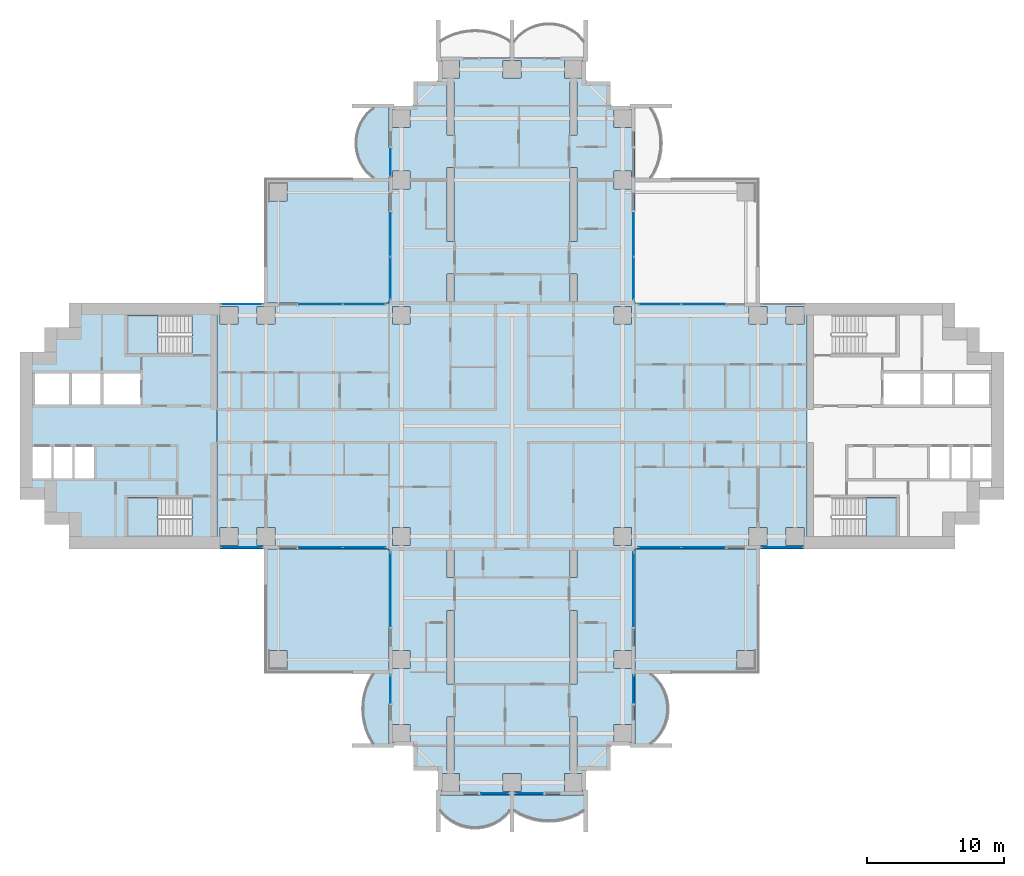
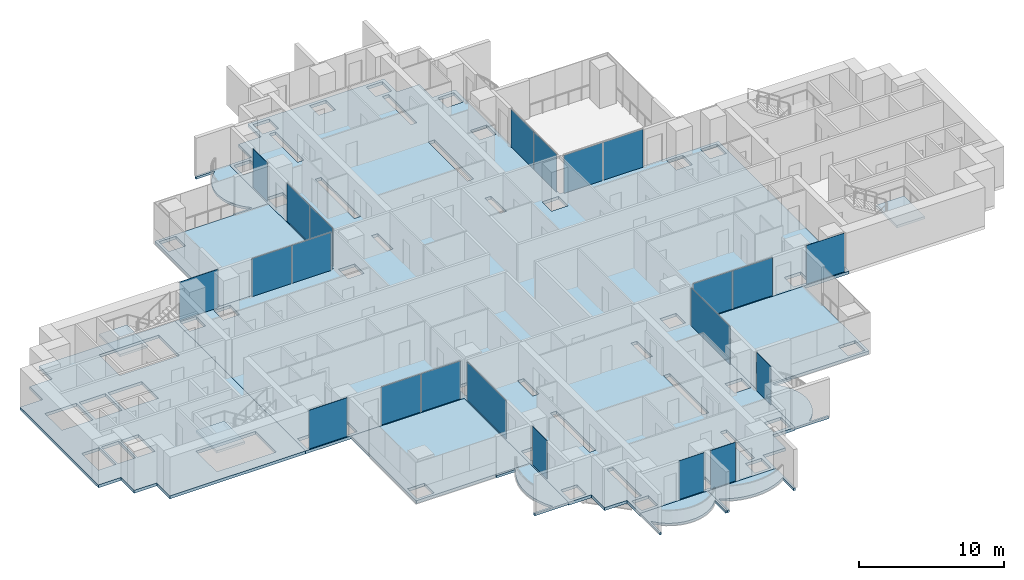
# One storey, part 8 of 21: 22 plates, 13 slabs, 19 elements without a shape of their own.
"""IFC4 building model written with IfcOpenShell, lengths in metres."""

from ifc_helpers import new_model, si_unit, direction, frame, origin, origin_2d, place, context, subcontext, project, spatial, polyline, rectangle, outline, extrude, material, layer, layer_set, type_object, element, aggregate, save


model = new_model("IFC4")

# Units and contexts
model_context = context("Model", 3, precision=1e-05, world=origin(), true_north=direction((0.0, 1.0)))
body_context = subcontext(model_context, "Body", "Model", "MODEL_VIEW")
ifc_project = project(units=[si_unit("LENGTHUNIT", "METRE"), si_unit("AREAUNIT", "SQUARE_METRE"), si_unit("VOLUMEUNIT", "CUBIC_METRE"), si_unit("PLANEANGLEUNIT", "RADIAN"), si_unit("MASSUNIT", "GRAM", prefix="KILO")], contexts=[model_context])

# Site, building, storey
site_placement = place(None, origin())
site = spatial("IfcSite", under=ifc_project, at=site_placement, CompositionType="ELEMENT")
building_placement = place(site_placement, origin())
building = spatial("IfcBuilding", under=site, at=building_placement, Name="Perihelion Cross Residences", CompositionType="ELEMENT")
storey_placement = place(building_placement, frame((0.0, 0.0, 64.5)))
storey = spatial("IfcBuildingStorey", under=building, at=storey_placement, Name="L13", CompositionType="ELEMENT", Elevation=64.5)

# Slabs
ifc_material_1 = material(Name="Concrete C40/50", Category="concrete")
ifc_layer_1 = layer(ifc_material_1, 0.199951171875)
ifc_layer_set_1 = layer_set([ifc_layer_1], Name="Balcony slab 200")
slab_type_1 = type_object("IfcSlabType", Name="Balcony slab 200", PredefinedType="FLOOR", material=ifc_layer_set_1)
slab_1_placement = place(storey_placement, frame((0.0, 0.0, -0.199951171875)))
element("IfcSlab", 1, at=slab_1_placement, inside=storey, type_object=slab_type_1, Name="Slab BK1 L13 north side west bay 1 balcony", PredefinedType="FLOOR", context=body_context, shape_type="SweptSolid", body=[
    extrude(outline(polyline([(-9.0, 23.39990234375), (-9.0, 18.0), (-11.699951171875, 18.0), (-11.699951171875, 18.14990234375), (-10.199951171875, 18.14990234375), (-10.622314453125, 18.542236328125), (-10.924072265625, 18.9345703125), (-11.143310546875, 19.326904296875), (-11.29736328125, 19.71923828125), (-11.39599609375, 20.111572265625), (-11.444091796875, 20.50390625), (-11.444091796875, 20.896240234375), (-11.39599609375, 21.28857421875), (-11.29736328125, 21.6806640625), (-11.143310546875, 22.072998046875), (-10.924072265625, 22.46533203125), (-10.622314453125, 22.857666015625), (-10.199951171875, 23.25), (-11.699951171875, 23.25), (-11.699951171875, 23.39990234375), (-9.0, 23.39990234375)])), origin(), (0.0, 0.0, 1.0), 0.199951171875),
])
slab_2_placement = place(storey_placement, frame((0.0, 0.0, -0.199951171875)))
element("IfcSlab", 2, at=slab_2_placement, inside=storey, type_object=slab_type_1, Name="Slab BK1 L13 south side west bay 2 balcony", PredefinedType="FLOOR", context=body_context, shape_type="SweptSolid", body=[
    extrude(outline(polyline([(-9.0, -18.0), (-9.0, -23.39990234375), (-11.699951171875, -23.39990234375), (-11.699951171875, -23.25), (-10.199951171875, -23.25), (-10.4853515625, -22.739990234375), (-10.694580078125, -22.22998046875), (-10.838134765625, -21.719970703125), (-10.92236328125, -21.2099609375), (-10.949951171875, -20.699951171875), (-10.92236328125, -20.18994140625), (-10.838134765625, -19.679931640625), (-10.694580078125, -19.169921875), (-10.4853515625, -18.659912109375), (-10.199951171875, -18.14990234375), (-11.699951171875, -18.14990234375), (-11.699951171875, -18.0), (-9.0, -18.0)])), origin(), (0.0, 0.0, 1.0), 0.199951171875),
])
slab_3_placement = place(storey_placement, frame((0.0, 0.0, -0.199951171875)))
element("IfcSlab", 3, at=slab_3_placement, inside=storey, type_object=slab_type_1, Name="Slab BK1 L13 south tip south bay 1 balcony", PredefinedType="FLOOR", context=body_context, shape_type="SweptSolid", body=[
    extrude(outline(polyline([(-5.39990234375, -27.0), (0.0, -27.0), (0.0, -29.699951171875), (-0.14990234375, -29.699951171875), (-0.14990234375, -28.199951171875), (-0.542236328125, -28.622314453125), (-0.9345703125, -28.924072265625), (-1.326904296875, -29.143310546875), (-1.71923828125, -29.29736328125), (-2.111572265625, -29.39599609375), (-2.50390625, -29.444091796875), (-2.896240234375, -29.444091796875), (-3.28857421875, -29.39599609375), (-3.6806640625, -29.29736328125), (-4.072998046875, -29.143310546875), (-4.46533203125, -28.924072265625), (-4.857666015625, -28.622314453125), (-5.25, -28.199951171875), (-5.25, -29.699951171875), (-5.39990234375, -29.699951171875), (-5.39990234375, -27.0)])), origin(), (0.0, 0.0, 1.0), 0.199951171875),
])
slab_4_placement = place(storey_placement, frame((0.0, 0.0, -0.199951171875)))
element("IfcSlab", 4, at=slab_4_placement, inside=storey, type_object=slab_type_1, Name="Slab BK1 L13 south tip south bay 2 balcony", PredefinedType="FLOOR", context=body_context, shape_type="SweptSolid", body=[
    extrude(outline(polyline([(0.0, -27.0), (5.39990234375, -27.0), (5.39990234375, -29.699951171875), (5.25, -29.699951171875), (5.25, -28.199951171875), (4.739990234375, -28.4853515625), (4.22998046875, -28.694580078125), (3.719970703125, -28.838134765625), (3.2099609375, -28.92236328125), (2.699951171875, -28.949951171875), (2.18994140625, -28.92236328125), (1.679931640625, -28.838134765625), (1.169921875, -28.694580078125), (0.659912109375, -28.4853515625), (0.14990234375, -28.199951171875), (0.14990234375, -29.699951171875), (0.0, -29.699951171875), (0.0, -27.0)])), origin(), (0.0, 0.0, 1.0), 0.199951171875),
])
slab_5_placement = place(storey_placement, frame((0.0, 0.0, -0.199951171875)))
element("IfcSlab", 5, at=slab_5_placement, inside=storey, type_object=slab_type_1, Name="Slab BK1 L13 south side east bay 1 balcony", PredefinedType="FLOOR", context=body_context, shape_type="SweptSolid", body=[
    extrude(outline(polyline([(9.0, -23.39990234375), (9.0, -18.0), (11.699951171875, -18.0), (11.699951171875, -18.14990234375), (10.199951171875, -18.14990234375), (10.622314453125, -18.542236328125), (10.924072265625, -18.9345703125), (11.143310546875, -19.326904296875), (11.29736328125, -19.71923828125), (11.39599609375, -20.111572265625), (11.444091796875, -20.50390625), (11.444091796875, -20.896240234375), (11.39599609375, -21.28857421875), (11.29736328125, -21.6806640625), (11.143310546875, -22.072998046875), (10.924072265625, -22.46533203125), (10.622314453125, -22.857666015625), (10.199951171875, -23.25), (11.699951171875, -23.25), (11.699951171875, -23.39990234375), (9.0, -23.39990234375)])), origin(), (0.0, 0.0, 1.0), 0.199951171875),
])

# Curtain wall, plates
ifc_material_2 = material(Name="Bronze anodised aluminium, tinted glazing", Category="aluminium")
curtain_wall_type = type_object("IfcCurtainWallType", Name="CW1", PredefinedType="NOTDEFINED", material=ifc_material_2)
curtain_wall_1_placement = place(storey_placement, origin())
curtain_wall_1 = element("IfcCurtainWall", 6, at=curtain_wall_1_placement, inside=storey, type_object=curtain_wall_type, Name="Curtain wall CW1 L13 east side north bay 2", PredefinedType="NOTDEFINED")
ifc_material_3 = material(Name="Tinted laminated glass", Category="glass")
ifc_layer_2 = layer(ifc_material_3, 0.028076171875)
ifc_layer_set_2 = layer_set([ifc_layer_2], Name="CW1 panel")
plate_type = type_object("IfcPlateType", Name="CW1 panel", PredefinedType="CURTAIN_PANEL", material=ifc_layer_set_2)
plate_1_placement = place(storey_placement, frame((13.9775390625, 8.89990234375, 0.0), z_axis=(0.0, 0.0, 1.0), x_axis=(-1.0, 0.0, 0.0)))
plate_1 = element("IfcPlate", 7, at=plate_1_placement, type_object=plate_type, Name="CW1 panel 1", PredefinedType="CURTAIN_PANEL", context=body_context, shape_type="SweptSolid", body=[
    extrude(rectangle(XDim=3.14501953125, YDim=0.028076171875, at=origin_2d()), origin(), (0.0, 0.0, 1.0), 3.18994140625),
])
plate_2_placement = place(storey_placement, frame((10.802490234375, 8.89990234375, 0.0), z_axis=(0.0, 0.0, 1.0), x_axis=(-1.0, 0.0, 0.0)))
plate_2 = element("IfcPlate", 8, at=plate_2_placement, type_object=plate_type, Name="CW1 panel 2", PredefinedType="CURTAIN_PANEL", context=body_context, shape_type="SweptSolid", body=[
    extrude(rectangle(XDim=3.0849609375, YDim=0.028076171875, at=origin_2d()), origin(), (0.0, 0.0, 1.0), 3.18994140625),
])
aggregate(curtain_wall_1, [plate_1, plate_2])

curtain_wall_2_placement = place(storey_placement, origin())
curtain_wall_2 = element("IfcCurtainWall", 9, at=curtain_wall_2_placement, inside=storey, type_object=curtain_wall_type, Name="Curtain wall CW1 L13 north side east bay 1", PredefinedType="NOTDEFINED")
plate_3_placement = place(storey_placement, frame((8.89990234375, 10.802490234375, 0.0), z_axis=(0.0, 0.0, 1.0), x_axis=(0.0, 1.0, 0.0)))
plate_3 = element("IfcPlate", 10, at=plate_3_placement, type_object=plate_type, Name="CW1 panel 1", PredefinedType="CURTAIN_PANEL", context=body_context, shape_type="SweptSolid", body=[
    extrude(rectangle(XDim=3.0849609375, YDim=0.028076171875, at=origin_2d()), origin(), (0.0, 0.0, 1.0), 3.18994140625),
])
plate_4_placement = place(storey_placement, frame((8.89990234375, 13.9775390625, 0.0), z_axis=(0.0, 0.0, 1.0), x_axis=(0.0, 1.0, 0.0)))
plate_4 = element("IfcPlate", 11, at=plate_4_placement, type_object=plate_type, Name="CW1 panel 2", PredefinedType="CURTAIN_PANEL", context=body_context, shape_type="SweptSolid", body=[
    extrude(rectangle(XDim=3.14501953125, YDim=0.028076171875, at=origin_2d()), origin(), (0.0, 0.0, 1.0), 3.18994140625),
])
aggregate(curtain_wall_2, [plate_3, plate_4])

# Curtain wall, plate
curtain_wall_3_placement = place(storey_placement, origin())
curtain_wall_3 = element("IfcCurtainWall", 12, at=curtain_wall_3_placement, inside=storey, type_object=curtain_wall_type, Name="Curtain wall CW1 L13 north side west bay 1", PredefinedType="NOTDEFINED")
plate_5_placement = place(storey_placement, frame((-8.89990234375, 19.2548828125, 0.0), z_axis=(0.0, 0.0, 1.0), x_axis=(0.0, -1.0, 0.0)))
plate_5 = element("IfcPlate", 13, at=plate_5_placement, type_object=plate_type, Name="CW1 panel 1", PredefinedType="CURTAIN_PANEL", context=body_context, shape_type="SweptSolid", body=[
    extrude(rectangle(XDim=1.989990234375, YDim=0.028076171875, at=origin_2d()), origin(), (0.0, 0.0, 1.0), 3.25),
])
aggregate(curtain_wall_3, [plate_5])

# Curtain wall, plates
curtain_wall_4_placement = place(storey_placement, origin())
curtain_wall_4 = element("IfcCurtainWall", 14, at=curtain_wall_4_placement, inside=storey, type_object=curtain_wall_type, Name="Curtain wall CW1 L13 north side west bay 2", PredefinedType="NOTDEFINED")
plate_6_placement = place(storey_placement, frame((-8.89990234375, 13.9775390625, 0.0), z_axis=(0.0, 0.0, 1.0), x_axis=(0.0, -1.0, 0.0)))
plate_6 = element("IfcPlate", 15, at=plate_6_placement, type_object=plate_type, Name="CW1 panel 1", PredefinedType="CURTAIN_PANEL", context=body_context, shape_type="SweptSolid", body=[
    extrude(rectangle(XDim=3.14501953125, YDim=0.028076171875, at=origin_2d()), origin(), (0.0, 0.0, 1.0), 3.18994140625),
])
plate_7_placement = place(storey_placement, frame((-8.89990234375, 10.802490234375, 0.0), z_axis=(0.0, 0.0, 1.0), x_axis=(0.0, -1.0, 0.0)))
plate_7 = element("IfcPlate", 16, at=plate_7_placement, type_object=plate_type, Name="CW1 panel 2", PredefinedType="CURTAIN_PANEL", context=body_context, shape_type="SweptSolid", body=[
    extrude(rectangle(XDim=3.0849609375, YDim=0.028076171875, at=origin_2d()), origin(), (0.0, 0.0, 1.0), 3.18994140625),
])
aggregate(curtain_wall_4, [plate_6, plate_7])

curtain_wall_5_placement = place(storey_placement, origin())
curtain_wall_5 = element("IfcCurtainWall", 17, at=curtain_wall_5_placement, inside=storey, type_object=curtain_wall_type, Name="Curtain wall CW1 L13 west side north bay 1", PredefinedType="NOTDEFINED")
plate_8_placement = place(storey_placement, frame((-10.802490234375, 8.89990234375, 0.0), z_axis=(0.0, 0.0, 1.0), x_axis=(-1.0, 0.0, 0.0)))
plate_8 = element("IfcPlate", 18, at=plate_8_placement, type_object=plate_type, Name="CW1 panel 1", PredefinedType="CURTAIN_PANEL", context=body_context, shape_type="SweptSolid", body=[
    extrude(rectangle(XDim=3.0849609375, YDim=0.028076171875, at=origin_2d()), origin(), (0.0, 0.0, 1.0), 3.18994140625),
])
plate_9_placement = place(storey_placement, frame((-13.9775390625, 8.89990234375, 0.0), z_axis=(0.0, 0.0, 1.0), x_axis=(-1.0, 0.0, 0.0)))
plate_9 = element("IfcPlate", 19, at=plate_9_placement, type_object=plate_type, Name="CW1 panel 2", PredefinedType="CURTAIN_PANEL", context=body_context, shape_type="SweptSolid", body=[
    extrude(rectangle(XDim=3.14501953125, YDim=0.028076171875, at=origin_2d()), origin(), (0.0, 0.0, 1.0), 3.18994140625),
])
aggregate(curtain_wall_5, [plate_8, plate_9])

# Curtain wall, plate
curtain_wall_6_placement = place(storey_placement, origin())
curtain_wall_6 = element("IfcCurtainWall", 20, at=curtain_wall_6_placement, inside=storey, type_object=curtain_wall_type, Name="Curtain wall CW1 L13 west side north bay 2", PredefinedType="NOTDEFINED")
plate_10_placement = place(storey_placement, frame((-19.77490234375, 8.89990234375, 0.0), z_axis=(0.0, 0.0, 1.0), x_axis=(-1.0, 0.0, 0.0)))
plate_10 = element("IfcPlate", 21, at=plate_10_placement, type_object=plate_type, Name="CW1 panel 1", PredefinedType="CURTAIN_PANEL", context=body_context, shape_type="SweptSolid", body=[
    extrude(rectangle(XDim=3.030029296875, YDim=0.028076171875, at=origin_2d()), origin(), (0.0, 0.0, 1.0), 3.25),
])
aggregate(curtain_wall_6, [plate_10])

curtain_wall_7_placement = place(storey_placement, origin())
curtain_wall_7 = element("IfcCurtainWall", 22, at=curtain_wall_7_placement, inside=storey, type_object=curtain_wall_type, Name="Curtain wall CW1 L13 west side south bay 1", PredefinedType="NOTDEFINED")
plate_11_placement = place(storey_placement, frame((-19.77490234375, -8.89990234375, 0.0), z_axis=(0.0, 0.0, 1.0), x_axis=(1.0, 0.0, 0.0)))
plate_11 = element("IfcPlate", 23, at=plate_11_placement, type_object=plate_type, Name="CW1 panel 1", PredefinedType="CURTAIN_PANEL", context=body_context, shape_type="SweptSolid", body=[
    extrude(rectangle(XDim=3.030029296875, YDim=0.028076171875, at=origin_2d()), origin(), (0.0, 0.0, 1.0), 3.25),
])
aggregate(curtain_wall_7, [plate_11])

# Curtain wall, plates
curtain_wall_8_placement = place(storey_placement, origin())
curtain_wall_8 = element("IfcCurtainWall", 24, at=curtain_wall_8_placement, inside=storey, type_object=curtain_wall_type, Name="Curtain wall CW1 L13 west side south bay 2", PredefinedType="NOTDEFINED")
plate_12_placement = place(storey_placement, frame((-13.9775390625, -8.89990234375, 0.0), z_axis=(0.0, 0.0, 1.0), x_axis=(1.0, 0.0, 0.0)))
plate_12 = element("IfcPlate", 25, at=plate_12_placement, type_object=plate_type, Name="CW1 panel 1", PredefinedType="CURTAIN_PANEL", context=body_context, shape_type="SweptSolid", body=[
    extrude(rectangle(XDim=3.14501953125, YDim=0.028076171875, at=origin_2d()), origin(), (0.0, 0.0, 1.0), 3.18994140625),
])
plate_13_placement = place(storey_placement, frame((-10.802490234375, -8.89990234375, 0.0), z_axis=(0.0, 0.0, 1.0), x_axis=(1.0, 0.0, 0.0)))
plate_13 = element("IfcPlate", 26, at=plate_13_placement, type_object=plate_type, Name="CW1 panel 2", PredefinedType="CURTAIN_PANEL", context=body_context, shape_type="SweptSolid", body=[
    extrude(rectangle(XDim=3.0849609375, YDim=0.028076171875, at=origin_2d()), origin(), (0.0, 0.0, 1.0), 3.18994140625),
])
aggregate(curtain_wall_8, [plate_12, plate_13])

# Curtain wall, plate
curtain_wall_9_placement = place(storey_placement, origin())
curtain_wall_9 = element("IfcCurtainWall", 27, at=curtain_wall_9_placement, inside=storey, type_object=curtain_wall_type, Name="Curtain wall CW1 L13 south side west bay 1", PredefinedType="NOTDEFINED")
plate_14_placement = place(storey_placement, frame((-8.89990234375, -11.955078125, 0.0), z_axis=(0.0, 0.0, 1.0), x_axis=(0.0, -1.0, 0.0)))
plate_14 = element("IfcPlate", 28, at=plate_14_placement, type_object=plate_type, Name="CW1 panel 1", PredefinedType="CURTAIN_PANEL", context=body_context, shape_type="SweptSolid", body=[
    extrude(rectangle(XDim=5.389892578125, YDim=0.028076171875, at=origin_2d()), origin(), (0.0, 0.0, 1.0), 3.18994140625),
])
aggregate(curtain_wall_9, [plate_14])

curtain_wall_10_placement = place(storey_placement, origin())
curtain_wall_10 = element("IfcCurtainWall", 29, at=curtain_wall_10_placement, inside=storey, type_object=curtain_wall_type, Name="Curtain wall CW1 L13 south side west bay 2", PredefinedType="NOTDEFINED")
plate_15_placement = place(storey_placement, frame((-8.89990234375, -19.2548828125, 0.0), z_axis=(0.0, 0.0, 1.0), x_axis=(0.0, -1.0, 0.0)))
plate_15 = element("IfcPlate", 30, at=plate_15_placement, type_object=plate_type, Name="CW1 panel 1", PredefinedType="CURTAIN_PANEL", context=body_context, shape_type="SweptSolid", body=[
    extrude(rectangle(XDim=1.989990234375, YDim=0.028076171875, at=origin_2d()), origin(), (0.0, 0.0, 1.0), 3.25),
])
aggregate(curtain_wall_10, [plate_15])

curtain_wall_11_placement = place(storey_placement, origin())
curtain_wall_11 = element("IfcCurtainWall", 31, at=curtain_wall_11_placement, inside=storey, type_object=curtain_wall_type, Name="Curtain wall CW1 L13 south tip south bay 1", PredefinedType="NOTDEFINED")
plate_16_placement = place(storey_placement, frame((-1.2548828125, -26.89990234375, 0.0), z_axis=(0.0, 0.0, 1.0), x_axis=(1.0, 0.0, 0.0)))
plate_16 = element("IfcPlate", 32, at=plate_16_placement, type_object=plate_type, Name="CW1 panel 1", PredefinedType="CURTAIN_PANEL", context=body_context, shape_type="SweptSolid", body=[
    extrude(rectangle(XDim=1.989990234375, YDim=0.028076171875, at=origin_2d()), origin(), (0.0, 0.0, 1.0), 3.25),
])
aggregate(curtain_wall_11, [plate_16])

curtain_wall_12_placement = place(storey_placement, origin())
curtain_wall_12 = element("IfcCurtainWall", 33, at=curtain_wall_12_placement, inside=storey, type_object=curtain_wall_type, Name="Curtain wall CW1 L13 south tip south bay 2", PredefinedType="NOTDEFINED")
plate_17_placement = place(storey_placement, frame((1.2548828125, -26.89990234375, 0.0), z_axis=(0.0, 0.0, 1.0), x_axis=(1.0, 0.0, 0.0)))
plate_17 = element("IfcPlate", 34, at=plate_17_placement, type_object=plate_type, Name="CW1 panel 1", PredefinedType="CURTAIN_PANEL", context=body_context, shape_type="SweptSolid", body=[
    extrude(rectangle(XDim=1.989990234375, YDim=0.028076171875, at=origin_2d()), origin(), (0.0, 0.0, 1.0), 3.25),
])
aggregate(curtain_wall_12, [plate_17])

curtain_wall_13_placement = place(storey_placement, origin())
curtain_wall_13 = element("IfcCurtainWall", 35, at=curtain_wall_13_placement, inside=storey, type_object=curtain_wall_type, Name="Curtain wall CW1 L13 south side east bay 1", PredefinedType="NOTDEFINED")
plate_18_placement = place(storey_placement, frame((8.89990234375, -19.2548828125, 0.0), z_axis=(0.0, 0.0, 1.0), x_axis=(0.0, 1.0, 0.0)))
plate_18 = element("IfcPlate", 36, at=plate_18_placement, type_object=plate_type, Name="CW1 panel 1", PredefinedType="CURTAIN_PANEL", context=body_context, shape_type="SweptSolid", body=[
    extrude(rectangle(XDim=1.989990234375, YDim=0.028076171875, at=origin_2d()), origin(), (0.0, 0.0, 1.0), 3.25),
])
aggregate(curtain_wall_13, [plate_18])

curtain_wall_14_placement = place(storey_placement, origin())
curtain_wall_14 = element("IfcCurtainWall", 37, at=curtain_wall_14_placement, inside=storey, type_object=curtain_wall_type, Name="Curtain wall CW1 L13 south side east bay 2", PredefinedType="NOTDEFINED")
plate_19_placement = place(storey_placement, frame((8.89990234375, -11.955078125, 0.0), z_axis=(0.0, 0.0, 1.0), x_axis=(0.0, 1.0, 0.0)))
plate_19 = element("IfcPlate", 38, at=plate_19_placement, type_object=plate_type, Name="CW1 panel 1", PredefinedType="CURTAIN_PANEL", context=body_context, shape_type="SweptSolid", body=[
    extrude(rectangle(XDim=5.389892578125, YDim=0.028076171875, at=origin_2d()), origin(), (0.0, 0.0, 1.0), 3.18994140625),
])
aggregate(curtain_wall_14, [plate_19])

# Curtain wall, plates
curtain_wall_15_placement = place(storey_placement, origin())
curtain_wall_15 = element("IfcCurtainWall", 39, at=curtain_wall_15_placement, inside=storey, type_object=curtain_wall_type, Name="Curtain wall CW1 L13 east side south bay 1", PredefinedType="NOTDEFINED")
plate_20_placement = place(storey_placement, frame((10.802490234375, -8.89990234375, 0.0), z_axis=(0.0, 0.0, 1.0), x_axis=(1.0, 0.0, 0.0)))
plate_20 = element("IfcPlate", 40, at=plate_20_placement, type_object=plate_type, Name="CW1 panel 1", PredefinedType="CURTAIN_PANEL", context=body_context, shape_type="SweptSolid", body=[
    extrude(rectangle(XDim=3.0849609375, YDim=0.028076171875, at=origin_2d()), origin(), (0.0, 0.0, 1.0), 3.18994140625),
])
plate_21_placement = place(storey_placement, frame((13.9775390625, -8.89990234375, 0.0), z_axis=(0.0, 0.0, 1.0), x_axis=(1.0, 0.0, 0.0)))
plate_21 = element("IfcPlate", 41, at=plate_21_placement, type_object=plate_type, Name="CW1 panel 2", PredefinedType="CURTAIN_PANEL", context=body_context, shape_type="SweptSolid", body=[
    extrude(rectangle(XDim=3.14501953125, YDim=0.028076171875, at=origin_2d()), origin(), (0.0, 0.0, 1.0), 3.18994140625),
])
aggregate(curtain_wall_15, [plate_20, plate_21])

# Curtain wall, plate
curtain_wall_16_placement = place(storey_placement, origin())
curtain_wall_16 = element("IfcCurtainWall", 42, at=curtain_wall_16_placement, inside=storey, type_object=curtain_wall_type, Name="Curtain wall CW1 L13 east side south bay 2", PredefinedType="NOTDEFINED")
plate_22_placement = place(storey_placement, frame((19.77490234375, -8.89990234375, 0.0), z_axis=(0.0, 0.0, 1.0), x_axis=(1.0, 0.0, 0.0)))
plate_22 = element("IfcPlate", 43, at=plate_22_placement, type_object=plate_type, Name="CW1 panel 1", PredefinedType="CURTAIN_PANEL", context=body_context, shape_type="SweptSolid", body=[
    extrude(rectangle(XDim=3.030029296875, YDim=0.028076171875, at=origin_2d()), origin(), (0.0, 0.0, 1.0), 3.25),
])
aggregate(curtain_wall_16, [plate_22])

# Slabs
ifc_material_4 = material(Name="Concrete C40/50", Category="concrete")
ifc_layer_3 = layer(ifc_material_4, 0.25)
ifc_layer_set_3 = layer_set([ifc_layer_3], Name="Core floor slab 250")
slab_type_2 = type_object("IfcSlabType", Name="Core floor slab 250", PredefinedType="FLOOR", material=ifc_layer_set_3)
slab_6_placement = place(storey_placement, frame((0.0, 0.0, -0.25)))
element("IfcSlab", 44, at=slab_6_placement, inside=storey, type_object=slab_type_2, Name="West core floor slab", PredefinedType="FLOOR", context=body_context, shape_type="SweptSolid", body=[
    extrude(outline(polyline([(-32.39990234375, 7.199951171875), (-34.199951171875, 7.199951171875), (-34.199951171875, 5.39990234375), (-36.0, 5.39990234375), (-36.0, -5.39990234375), (-34.199951171875, -5.39990234375), (-34.199951171875, -7.199951171875), (-32.39990234375, -7.199951171875), (-32.39990234375, -9.0), (-21.60009765625, -9.0), (-21.60009765625, 9.0), (-32.39990234375, 9.0), (-32.39990234375, 7.199951171875)]), holes=[polyline([(-23.405029296875, -8.10009765625), (-28.14990234375, -8.10009765625), (-28.14990234375, -5.25), (-23.405029296875, -5.25), (-23.405029296875, -8.10009765625)]), polyline([(-30.60009765625, -1.550048828125), (-30.60009765625, -3.85009765625), (-32.0, -3.85009765625), (-32.0, -1.550048828125), (-30.60009765625, -1.550048828125)]), polyline([(-32.14990234375, -1.550048828125), (-32.14990234375, -3.85009765625), (-33.550048828125, -3.85009765625), (-33.550048828125, -1.550048828125), (-32.14990234375, -1.550048828125)]), polyline([(-33.699951171875, -1.550048828125), (-33.699951171875, -3.85009765625), (-35.10009765625, -3.85009765625), (-35.10009765625, -1.550048828125), (-33.699951171875, -1.550048828125)]), polyline([(-27.199951171875, 3.85009765625), (-27.199951171875, 1.550048828125), (-29.89990234375, 1.550048828125), (-29.89990234375, 3.85009765625), (-27.199951171875, 3.85009765625)]), polyline([(-30.10009765625, 3.85009765625), (-30.10009765625, 1.550048828125), (-32.199951171875, 1.550048828125), (-32.199951171875, 3.85009765625), (-30.10009765625, 3.85009765625)]), polyline([(-32.39990234375, 3.85009765625), (-32.39990234375, 1.550048828125), (-34.89990234375, 1.550048828125), (-34.89990234375, 3.85009765625), (-32.39990234375, 3.85009765625)]), polyline([(-23.405029296875, 5.25), (-28.14990234375, 5.25), (-28.14990234375, 8.10009765625), (-23.405029296875, 8.10009765625), (-23.405029296875, 5.25)])]), origin(), (0.0, 0.0, 1.0), 0.25),
])
ifc_material_5 = material(Name="Concrete C40/50", Category="concrete")
ifc_layer_4 = layer(ifc_material_5, 0.25)
ifc_layer_set_4 = layer_set([ifc_layer_4], Name="Corner terrace slab")
slab_type_3 = type_object("IfcSlabType", Name="Corner terrace slab", PredefinedType="FLOOR", material=ifc_layer_set_4)
slab_7_placement = place(storey_placement, frame((0.0, 0.0, -0.25)))
element("IfcSlab", 45, at=slab_7_placement, inside=storey, type_object=slab_type_3, Name="Slab BK2 L13 pocket north-west", PredefinedType="FLOOR", context=body_context, shape_type="SweptSolid", body=[
    extrude(outline(polyline([(-9.0, 9.0), (-9.0, 18.0), (-18.0, 18.0), (-18.0, 9.0), (-9.0, 9.0)]), holes=[polyline([(-17.7900390625, 16.409912109375), (-17.7900390625, 17.7900390625), (-16.449951171875, 17.7900390625), (-16.449951171875, 16.449951171875), (-17.75, 16.449951171875), (-17.75, 16.409912109375), (-17.7900390625, 16.409912109375)])]), origin(), (0.0, 0.0, 1.0), 0.25),
])
slab_8_placement = place(storey_placement, frame((0.0, 0.0, -0.25)))
element("IfcSlab", 46, at=slab_8_placement, inside=storey, type_object=slab_type_3, Name="Slab BK2 L13 pocket south-west", PredefinedType="FLOOR", context=body_context, shape_type="SweptSolid", body=[
    extrude(outline(polyline([(-9.0, -18.0), (-9.0, -9.0), (-18.0, -9.0), (-18.0, -18.0), (-9.0, -18.0)]), holes=[polyline([(-17.7900390625, -16.409912109375), (-17.75, -16.409912109375), (-17.75, -16.449951171875), (-16.449951171875, -16.449951171875), (-16.449951171875, -17.7900390625), (-17.7900390625, -17.7900390625), (-17.7900390625, -16.409912109375)])]), origin(), (0.0, 0.0, 1.0), 0.25),
])
slab_9_placement = place(storey_placement, frame((0.0, 0.0, -0.25)))
element("IfcSlab", 47, at=slab_9_placement, inside=storey, type_object=slab_type_3, Name="Slab BK2 L13 pocket south-east", PredefinedType="FLOOR", context=body_context, shape_type="SweptSolid", body=[
    extrude(outline(polyline([(18.0, -18.0), (18.0, -9.0), (9.0, -9.0), (9.0, -18.0), (18.0, -18.0)]), holes=[polyline([(16.449951171875, -17.7900390625), (16.449951171875, -16.449951171875), (17.75, -16.449951171875), (17.75, -16.409912109375), (17.7900390625, -16.409912109375), (17.7900390625, -17.7900390625), (16.449951171875, -17.7900390625)])]), origin(), (0.0, 0.0, 1.0), 0.25),
])

# Stair, slab
ifc_material_6 = material(Name="Concrete C40/50", Category="concrete")
stair_type = type_object("IfcStairType", Name="Exit stair, half-turn", PredefinedType="HALF_TURN_STAIR", material=ifc_material_6)
stair_1_placement = place(storey_placement, origin())
stair_1 = element("IfcStair", 48, at=stair_1_placement, inside=storey, type_object=stair_type, Name="L13 East core exit stair 2", PredefinedType="HALF_TURN_STAIR")
ifc_material_7 = material(Name="Concrete C40/50", Category="concrete")
ifc_layer_5 = layer(ifc_material_7, 0.199951171875)
ifc_layer_set_5 = layer_set([ifc_layer_5], Name="Exit stair landing 200")
slab_type_4 = type_object("IfcSlabType", Name="Exit stair landing 200", PredefinedType="LANDING", material=ifc_layer_set_5)
slab_10_placement = place(storey_placement, frame((0.0, 0.0, 1.550048828125)))
slab_10 = element("IfcSlab", 49, at=slab_10_placement, type_object=slab_type_4, Name="ST-E2 landing 1", PredefinedType="LANDING", context=body_context, shape_type="SweptSolid", body=[
    extrude(outline(polyline([(25.919921875, -8.10009765625), (28.14990234375, -8.10009765625), (28.14990234375, -5.25), (25.919921875, -5.25), (25.919921875, -8.10009765625)])), origin(), (0.0, 0.0, 1.0), 0.199951171875),
])
aggregate(stair_1, [slab_10])

stair_2_placement = place(storey_placement, origin())
stair_2 = element("IfcStair", 50, at=stair_2_placement, inside=storey, type_object=stair_type, Name="L13 West core exit stair 1", PredefinedType="HALF_TURN_STAIR")
slab_11_placement = place(storey_placement, frame((0.0, 0.0, 1.550048828125)))
slab_11 = element("IfcSlab", 51, at=slab_11_placement, type_object=slab_type_4, Name="ST-W1 landing 1", PredefinedType="LANDING", context=body_context, shape_type="SweptSolid", body=[
    extrude(outline(polyline([(-25.919921875, 8.10009765625), (-28.14990234375, 8.10009765625), (-28.14990234375, 5.25), (-25.919921875, 5.25), (-25.919921875, 8.10009765625)])), origin(), (0.0, 0.0, 1.0), 0.199951171875),
])
aggregate(stair_2, [slab_11])

stair_3_placement = place(storey_placement, origin())
stair_3 = element("IfcStair", 52, at=stair_3_placement, inside=storey, type_object=stair_type, Name="L13 West core exit stair 2", PredefinedType="HALF_TURN_STAIR")
slab_12_placement = place(storey_placement, frame((0.0, 0.0, 1.550048828125)))
slab_12 = element("IfcSlab", 53, at=slab_12_placement, type_object=slab_type_4, Name="ST-W2 landing 1", PredefinedType="LANDING", context=body_context, shape_type="SweptSolid", body=[
    extrude(outline(polyline([(-25.919921875, -5.25), (-28.14990234375, -5.25), (-28.14990234375, -8.10009765625), (-25.919921875, -8.10009765625), (-25.919921875, -5.25)])), origin(), (0.0, 0.0, 1.0), 0.199951171875),
])
aggregate(stair_3, [slab_12])

# Slab
ifc_material_8 = material(Name="Concrete C50/60", Category="concrete")
ifc_layer_6 = layer(ifc_material_8, 0.25)
ifc_layer_set_6 = layer_set([ifc_layer_6], Name="Residential floor post-tensioned slab concrete C50/60")
slab_type_5 = type_object("IfcSlabType", Name="Residential floor post-tensioned slab concrete C50/60", PredefinedType="FLOOR", material=ifc_layer_set_6)
slab_13_placement = place(storey_placement, frame((0.0, 0.0, -0.25)))
element("IfcSlab", 54, at=slab_13_placement, inside=storey, type_object=slab_type_5, Name="Slab SL8 L13 1 no. 1", PredefinedType="FLOOR", context=body_context, shape_type="SweptSolid", body=[
    extrude(outline(polyline([(-9.0, 9.0), (-9.0, 23.39990234375), (-7.199951171875, 23.39990234375), (-7.199951171875, 25.199951171875), (-5.39990234375, 25.199951171875), (-5.39990234375, 27.0), (5.39990234375, 27.0), (5.39990234375, 25.199951171875), (7.199951171875, 25.199951171875), (7.199951171875, 23.39990234375), (9.0, 23.39990234375), (9.0, 9.0), (21.60009765625, 9.0), (21.60009765625, -9.0), (9.0, -9.0), (9.0, -23.39990234375), (7.199951171875, -23.39990234375), (7.199951171875, -25.199951171875), (5.39990234375, -25.199951171875), (5.39990234375, -27.0), (-5.39990234375, -27.0), (-5.39990234375, -25.199951171875), (-7.199951171875, -25.199951171875), (-7.199951171875, -23.39990234375), (-9.0, -23.39990234375), (-9.0, -9.0), (-21.60009765625, -9.0), (-21.60009765625, 9.0), (-9.0, 9.0)]), holes=[polyline([(0.64990234375, -26.75), (0.64990234375, -25.449951171875), (-0.64990234375, -25.449951171875), (-0.64990234375, -26.75), (0.64990234375, -26.75)]), polyline([(-3.85009765625, -26.75), (-3.85009765625, -25.449951171875), (-5.14990234375, -25.449951171875), (-5.14990234375, -26.75), (-3.85009765625, -26.75)]), polyline([(-4.25, -25.199951171875), (-4.25, -21.300048828125), (-4.75, -21.300048828125), (-4.75, -25.199951171875), (-4.25, -25.199951171875)]), polyline([(-8.75, -23.14990234375), (-7.449951171875, -23.14990234375), (-7.449951171875, -21.85009765625), (-8.75, -21.85009765625), (-8.75, -23.14990234375)]), polyline([(-8.75, -17.75), (-7.449951171875, -17.75), (-7.449951171875, -16.449951171875), (-8.75, -16.449951171875), (-8.75, -17.75)]), polyline([(-4.25, -18.89990234375), (-4.25, -13.5), (-4.75, -13.5), (-4.75, -18.89990234375), (-4.25, -18.89990234375)]), polyline([(-4.25, -11.10009765625), (-4.25, -9.0), (-4.75, -9.0), (-4.75, -11.10009765625), (-4.25, -11.10009765625)]), polyline([(-7.449951171875, -8.75), (-7.449951171875, -7.449951171875), (-8.75, -7.449951171875), (-8.75, -8.75), (-7.449951171875, -8.75)]), polyline([(-18.64990234375, -8.75), (-17.35009765625, -8.75), (-17.35009765625, -7.449951171875), (-18.64990234375, -7.449951171875), (-18.64990234375, -8.75)]), polyline([(-21.35009765625, -8.75), (-20.050048828125, -8.75), (-20.050048828125, -7.449951171875), (-21.35009765625, -7.449951171875), (-21.35009765625, -8.75)]), polyline([(-17.35009765625, 7.449951171875), (-17.35009765625, 8.75), (-18.64990234375, 8.75), (-18.64990234375, 7.449951171875), (-17.35009765625, 7.449951171875)]), polyline([(-7.449951171875, 7.449951171875), (-7.449951171875, 8.75), (-8.75, 8.75), (-8.75, 7.449951171875), (-7.449951171875, 7.449951171875)]), polyline([(-21.35009765625, 7.449951171875), (-20.050048828125, 7.449951171875), (-20.050048828125, 8.75), (-21.35009765625, 8.75), (-21.35009765625, 7.449951171875)]), polyline([(-4.75, 9.0), (-4.25, 9.0), (-4.25, 11.10009765625), (-4.75, 11.10009765625), (-4.75, 9.0)]), polyline([(-4.25, 13.5), (-4.25, 18.89990234375), (-4.75, 18.89990234375), (-4.75, 13.5), (-4.25, 13.5)]), polyline([(-7.449951171875, 17.35009765625), (-7.449951171875, 18.64990234375), (-8.75, 18.64990234375), (-8.75, 17.35009765625), (-7.449951171875, 17.35009765625)]), polyline([(-7.449951171875, 21.85009765625), (-7.449951171875, 23.14990234375), (-8.75, 23.14990234375), (-8.75, 21.85009765625), (-7.449951171875, 21.85009765625)]), polyline([(-4.75, 21.300048828125), (-4.25, 21.300048828125), (-4.25, 25.199951171875), (-4.75, 25.199951171875), (-4.75, 21.300048828125)]), polyline([(-5.14990234375, 25.449951171875), (-3.85009765625, 25.449951171875), (-3.85009765625, 26.75), (-5.14990234375, 26.75), (-5.14990234375, 25.449951171875)]), polyline([(5.14990234375, -26.75), (5.14990234375, -25.449951171875), (3.85009765625, -25.449951171875), (3.85009765625, -26.75), (5.14990234375, -26.75)]), polyline([(4.75, -25.199951171875), (4.75, -21.300048828125), (4.25, -21.300048828125), (4.25, -25.199951171875), (4.75, -25.199951171875)]), polyline([(8.75, -23.14990234375), (8.75, -21.85009765625), (7.449951171875, -21.85009765625), (7.449951171875, -23.14990234375), (8.75, -23.14990234375)]), polyline([(7.449951171875, -17.75), (8.75, -17.75), (8.75, -16.449951171875), (7.449951171875, -16.449951171875), (7.449951171875, -17.75)]), polyline([(4.25, -18.89990234375), (4.75, -18.89990234375), (4.75, -13.5), (4.25, -13.5), (4.25, -18.89990234375)]), polyline([(4.75, -11.10009765625), (4.75, -9.0), (4.25, -9.0), (4.25, -11.10009765625), (4.75, -11.10009765625)]), polyline([(18.64990234375, -8.75), (18.64990234375, -7.449951171875), (17.35009765625, -7.449951171875), (17.35009765625, -8.75), (18.64990234375, -8.75)]), polyline([(21.35009765625, -8.75), (21.35009765625, -7.449951171875), (20.050048828125, -7.449951171875), (20.050048828125, -8.75), (21.35009765625, -8.75)]), polyline([(7.449951171875, -8.75), (8.75, -8.75), (8.75, -7.449951171875), (7.449951171875, -7.449951171875), (7.449951171875, -8.75)]), polyline([(21.35009765625, 7.449951171875), (21.35009765625, 8.75), (20.050048828125, 8.75), (20.050048828125, 7.449951171875), (21.35009765625, 7.449951171875)]), polyline([(8.75, 7.449951171875), (8.75, 8.75), (7.449951171875, 8.75), (7.449951171875, 7.449951171875), (8.75, 7.449951171875)]), polyline([(18.64990234375, 7.449951171875), (18.64990234375, 8.75), (17.35009765625, 8.75), (17.35009765625, 7.449951171875), (18.64990234375, 7.449951171875)]), polyline([(4.25, 9.0), (4.75, 9.0), (4.75, 11.10009765625), (4.25, 11.10009765625), (4.25, 9.0)]), polyline([(4.25, 13.5), (4.75, 13.5), (4.75, 18.89990234375), (4.25, 18.89990234375), (4.25, 13.5)]), polyline([(8.75, 17.35009765625), (8.75, 18.64990234375), (7.449951171875, 18.64990234375), (7.449951171875, 17.35009765625), (8.75, 17.35009765625)]), polyline([(8.75, 21.85009765625), (8.75, 23.14990234375), (7.449951171875, 23.14990234375), (7.449951171875, 21.85009765625), (8.75, 21.85009765625)]), polyline([(4.75, 21.300048828125), (4.75, 25.199951171875), (4.25, 25.199951171875), (4.25, 21.300048828125), (4.75, 21.300048828125)]), polyline([(-0.64990234375, 25.449951171875), (0.64990234375, 25.449951171875), (0.64990234375, 26.75), (-0.64990234375, 26.75), (-0.64990234375, 25.449951171875)]), polyline([(3.85009765625, 25.449951171875), (5.14990234375, 25.449951171875), (5.14990234375, 26.75), (3.85009765625, 26.75), (3.85009765625, 25.449951171875)])]), origin(), (0.0, 0.0, 1.0), 0.25),
])

save(model, "model.ifc")
